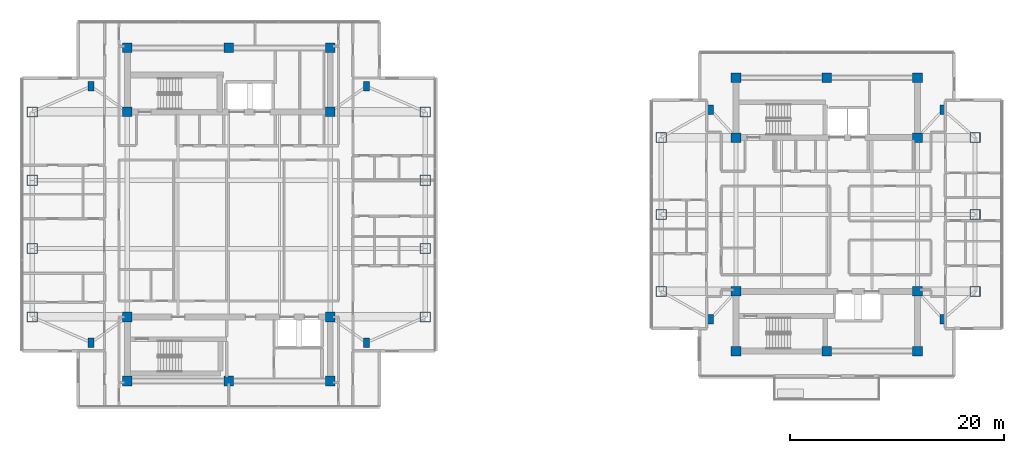
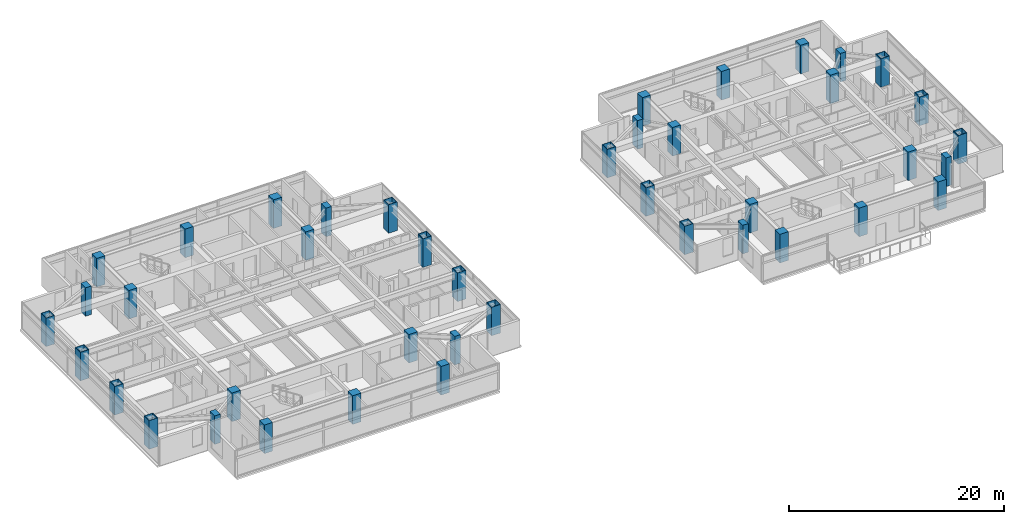
# One storey, part 1 of 23: 42 columns.
"""IFC4 building model written with IfcOpenShell, lengths in metres."""

from ifc_helpers import new_model, si_unit, direction, frame, origin, origin_2d, place, context, subcontext, project, spatial, rectangle, hollow_rectangle, extrude, material, material_profile, profile_set, type_object, element, save


model = new_model("IFC4")

# Units and contexts
model_context = context("Model", 3, precision=1e-05, world=origin(), true_north=direction((0.0, 1.0)))
body_context = subcontext(model_context, "Body", "Model", "MODEL_VIEW")
ifc_project = project(units=[si_unit("LENGTHUNIT", "METRE"), si_unit("AREAUNIT", "SQUARE_METRE"), si_unit("VOLUMEUNIT", "CUBIC_METRE"), si_unit("PLANEANGLEUNIT", "RADIAN"), si_unit("MASSUNIT", "GRAM", prefix="KILO")], contexts=[model_context])

# Site, building, storey
site_placement = place(None, origin())
site = spatial("IfcSite", under=ifc_project, at=site_placement, CompositionType="ELEMENT")
building_placement = place(site_placement, origin())
building = spatial("IfcBuilding", under=site, at=building_placement, Name="Mirazonda Arch Towers", CompositionType="ELEMENT")
storey_placement = place(building_placement, frame((0.0, 0.0, 183.64990234375)))
storey = spatial("IfcBuildingStorey", under=building, at=storey_placement, Name="L52", CompositionType="ELEMENT", Elevation=183.64990234375)

# Columns
ifc_material_1 = material(Name="Concrete C50/60", Category="concrete")
ifc_material_profile_1 = material_profile(ifc_material_1, rectangle(XDim=0.89990234375, YDim=0.89990234375, at=origin_2d()), Name="RC900x900")
ifc_profile_set_1 = profile_set([ifc_material_profile_1], Name="Concrete C50/60")
column_type_1 = type_object("IfcColumnType", Name="COL-INT-RC900x900", PredefinedType="COLUMN", material=ifc_profile_set_1)
for number, where, z_axis, x_axis, name in (
    (1, (11.0, 12.39990234375, 0.0), (0.0, 0.0, 1.0), (1.0, 0.0, 0.0), "L52 T1 Core Column 01"),
    (2, (20.5, 12.39990234375, 0.0), (0.0, 0.0, 1.0), (1.0, 0.0, 0.0), "L52 T1 Core Column 02"),
    (3, (30.0, 12.39990234375, 0.0), (0.0, 0.0, 1.0), (1.0, 0.0, 0.0), "L52 T1 Core Column 03"),
    (4, (11.0, 18.39990234375, 0.0), (0.0, 0.0, 1.0), (1.0, 0.0, 0.0), "L52 T1 Core Column 04"),
    (5, (30.0, 18.39990234375, 0.0), (0.0, 0.0, 1.0), (1.0, 0.0, 0.0), "L52 T1 Core Column 05"),
    (6, (11.0, 37.60009765625, 0.0), (0.0, 0.0, 1.0), (1.0, 0.0, 0.0), "L52 T1 Core Column 06"),
    (7, (30.0, 37.60009765625, 0.0), (0.0, 0.0, 1.0), (1.0, 0.0, 0.0), "L52 T1 Core Column 07"),
    (8, (11.0, 43.60009765625, 0.0), (0.0, 0.0, 1.0), (1.0, 0.0, 0.0), "L52 T1 Core Column 08"),
    (9, (20.5, 43.60009765625, 0.0), (0.0, 0.0, 1.0), (1.0, 0.0, 0.0), "L52 T1 Core Column 09"),
    (10, (30.0, 43.60009765625, 0.0), (0.0, 0.0, 1.0), (1.0, 0.0, 0.0), "L52 T1 Core Column 10"),
    (11, (68.0, 15.199951171875, 0.0), (0.0, 0.0, 1.0), (1.0, 0.0, 0.0), "L52 T2 Core Column 01"),
    (12, (76.5, 15.199951171875, 0.0), (0.0, 0.0, 1.0), (1.0, 0.0, 0.0), "L52 T2 Core Column 02"),
    (13, (85.0, 15.199951171875, 0.0), (0.0, 0.0, 1.0), (1.0, 0.0, 0.0), "L52 T2 Core Column 03"),
    (14, (68.0, 20.800048828125, 0.0), (0.0, 0.0, 1.0), (1.0, 0.0, 0.0), "L52 T2 Core Column 04"),
    (15, (85.0, 20.800048828125, 0.0), (0.0, 0.0, 1.0), (1.0, 0.0, 0.0), "L52 T2 Core Column 05"),
    (16, (68.0, 35.199951171875, 0.0), (0.0, 0.0, 1.0), (1.0, 0.0, 0.0), "L52 T2 Core Column 06"),
    (17, (85.0, 35.199951171875, 0.0), (0.0, 0.0, 1.0), (1.0, 0.0, 0.0), "L52 T2 Core Column 07"),
    (18, (68.0, 40.800048828125, 0.0), (0.0, 0.0, 1.0), (1.0, 0.0, 0.0), "L52 T2 Core Column 08"),
    (19, (76.5, 40.800048828125, 0.0), (0.0, 0.0, 1.0), (1.0, 0.0, 0.0), "L52 T2 Core Column 09"),
    (20, (85.0, 40.800048828125, 0.0), (0.0, 0.0, 1.0), (1.0, 0.0, 0.0), "L52 T2 Core Column 10"),
):
    element("IfcColumn", number, at=place(storey_placement, frame(where, z_axis=z_axis, x_axis=x_axis)), inside=storey, type_object=column_type_1, Name=name, PredefinedType="COLUMN", context=body_context, shape_type="SweptSolid", body=[
        extrude(rectangle(XDim=0.89990234375, YDim=0.89990234375, at=origin_2d()), origin(), (0.0, 0.0, 1.0), 3.25),
    ])
ifc_material_2 = material(Name="Steel ASTM A572 Grade 50", Category="steel")
ifc_material_profile_2 = material_profile(ifc_material_2, hollow_rectangle(XDim=0.949951171875, YDim=0.949951171875, WallThickness=0.050048828125, at=origin_2d()), Name="BOX950x950x50")
ifc_profile_set_2 = profile_set([ifc_material_profile_2], Name="Steel ASTM A572 Grade 50")
column_type_2 = type_object("IfcColumnType", Name="MCOL-EXT-BOX950x950x50", PredefinedType="COLUMN", material=ifc_profile_set_2)
for number, where, z_axis, x_axis, name in (
    (21, (2.10009765625, 18.39990234375, 0.0), (0.0, 0.0, 1.0), (1.0, 0.0, 0.0), "L52 T1 Composite Mega-Column 01"),
    (22, (2.10009765625, 24.800048828125, 0.0), (0.0, 0.0, 1.0), (1.0, 0.0, 0.0), "L52 T1 Composite Mega-Column 02"),
    (23, (2.10009765625, 31.199951171875, 0.0), (0.0, 0.0, 1.0), (1.0, 0.0, 0.0), "L52 T1 Composite Mega-Column 03"),
    (24, (2.10009765625, 37.60009765625, 0.0), (0.0, 0.0, 1.0), (1.0, 0.0, 0.0), "L52 T1 Composite Mega-Column 04"),
    (25, (38.89990234375, 18.39990234375, 0.0), (0.0, 0.0, 1.0), (1.0, 0.0, 0.0), "L52 T1 Composite Mega-Column 05"),
    (26, (38.89990234375, 24.800048828125, 0.0), (0.0, 0.0, 1.0), (1.0, 0.0, 0.0), "L52 T1 Composite Mega-Column 06"),
    (27, (38.89990234375, 31.199951171875, 0.0), (0.0, 0.0, 1.0), (1.0, 0.0, 0.0), "L52 T1 Composite Mega-Column 07"),
    (28, (38.89990234375, 37.60009765625, 0.0), (0.0, 0.0, 1.0), (1.0, 0.0, 0.0), "L52 T1 Composite Mega-Column 08"),
    (29, (61.0, 20.800048828125, 0.0), (0.0, 0.0, 1.0), (1.0, 0.0, 0.0), "L52 T2 Composite Mega-Column 01"),
    (30, (61.0, 28.0, 0.0), (0.0, 0.0, 1.0), (1.0, 0.0, 0.0), "L52 T2 Composite Mega-Column 02"),
    (31, (61.0, 35.199951171875, 0.0), (0.0, 0.0, 1.0), (1.0, 0.0, 0.0), "L52 T2 Composite Mega-Column 03"),
    (32, (90.39990234375, 20.800048828125, 0.0), (0.0, 0.0, 1.0), (1.0, 0.0, 0.0), "L52 T2 Composite Mega-Column 04"),
    (33, (90.39990234375, 28.0, 0.0), (0.0, 0.0, 1.0), (1.0, 0.0, 0.0), "L52 T2 Composite Mega-Column 05"),
    (34, (90.39990234375, 35.199951171875, 0.0), (0.0, 0.0, 1.0), (1.0, 0.0, 0.0), "L52 T2 Composite Mega-Column 06"),
):
    element("IfcColumn", number, at=place(storey_placement, frame(where, z_axis=z_axis, x_axis=x_axis)), inside=storey, type_object=column_type_2, Name=name, PredefinedType="COLUMN", context=body_context, shape_type="SweptSolid", body=[
        extrude(hollow_rectangle(XDim=0.949951171875, YDim=0.949951171875, WallThickness=0.050048828125, at=origin_2d()), origin(), (0.0, 0.0, 1.0), 3.25),
    ])
ifc_material_profile_3 = material_profile(ifc_material_1, rectangle(XDim=0.60009765625, YDim=0.89990234375, at=origin_2d()), Name="RC900x600")
ifc_profile_set_3 = profile_set([ifc_material_profile_3], Name="Concrete C50/60")
column_type_3 = type_object("IfcColumnType", Name="PIL-EXT-RC900x600", PredefinedType="PILASTER", material=ifc_profile_set_3)
for number, where, z_axis, x_axis, name in (
    (35, (7.60009765625, 16.0, 0.0), (0.0, 0.0, 1.0), (1.0, 0.0, 0.0), "L52 T1 Corner Pilaster 01"),
    (36, (33.39990234375, 16.0, 0.0), (0.0, 0.0, 1.0), (1.0, 0.0, 0.0), "L52 T1 Corner Pilaster 02"),
    (37, (7.60009765625, 40.0, 0.0), (0.0, 0.0, 1.0), (1.0, 0.0, 0.0), "L52 T1 Corner Pilaster 03"),
    (38, (33.39990234375, 40.0, 0.0), (0.0, 0.0, 1.0), (1.0, 0.0, 0.0), "L52 T1 Corner Pilaster 04"),
    (39, (65.60009765625, 18.199951171875, 0.0), (0.0, 0.0, 1.0), (1.0, 0.0, 0.0), "L52 T2 Corner Pilaster 01"),
    (40, (87.39990234375, 18.199951171875, 0.0), (0.0, 0.0, 1.0), (1.0, 0.0, 0.0), "L52 T2 Corner Pilaster 02"),
    (41, (65.60009765625, 37.800048828125, 0.0), (0.0, 0.0, 1.0), (1.0, 0.0, 0.0), "L52 T2 Corner Pilaster 03"),
    (42, (87.39990234375, 37.800048828125, 0.0), (0.0, 0.0, 1.0), (1.0, 0.0, 0.0), "L52 T2 Corner Pilaster 04"),
):
    element("IfcColumn", number, at=place(storey_placement, frame(where, z_axis=z_axis, x_axis=x_axis)), inside=storey, type_object=column_type_3, Name=name, PredefinedType="PILASTER", context=body_context, shape_type="SweptSolid", body=[
        extrude(rectangle(XDim=0.60009765625, YDim=0.89990234375, at=origin_2d()), origin(), (0.0, 0.0, 1.0), 3.25),
    ])

save(model, "model.ifc")
